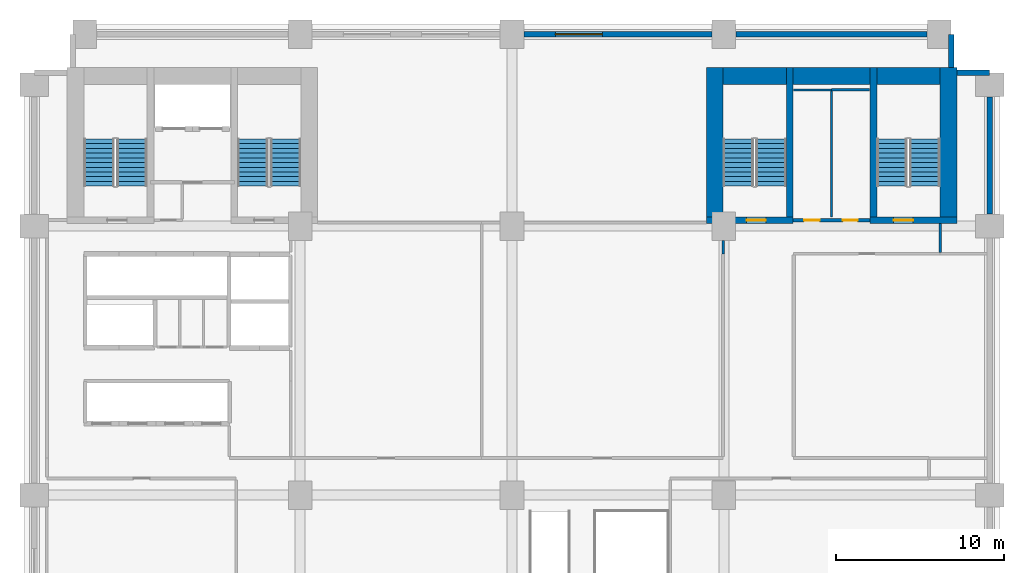
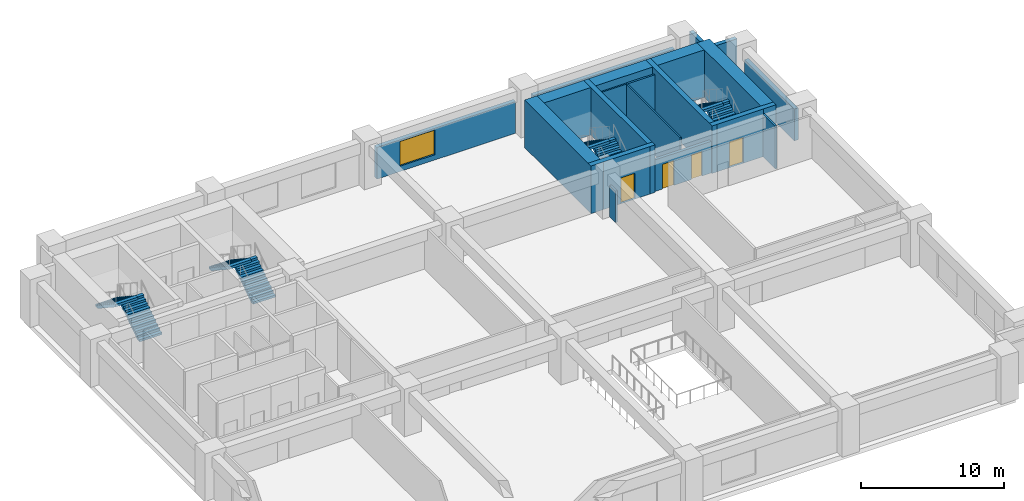
# One storey, part 4 of 7: 18 walls, 8 stair flights, 4 doors, 1 window, 5 openings, 4 elements without a shape of their own.
"""IFC4 building model written with IfcOpenShell, lengths in metres."""

from ifc_helpers import new_model, si_unit, direction, frame, frame_2d, origin, place, context, subcontext, project, spatial, polyline, rectangle, outline, extrude, material, layer, layer_set, type_object, element, fill, aggregate, save


model = new_model("IFC4")

# Units and contexts
model_context = context("Model", 3, precision=1e-05, world=origin(), true_north=direction((0.0, 1.0)))
body_context = subcontext(model_context, "Body", "Model", "MODEL_VIEW")
ifc_project = project(units=[si_unit("LENGTHUNIT", "METRE"), si_unit("AREAUNIT", "SQUARE_METRE"), si_unit("VOLUMEUNIT", "CUBIC_METRE"), si_unit("PLANEANGLEUNIT", "RADIAN"), si_unit("MASSUNIT", "GRAM", prefix="KILO")], contexts=[model_context])

# Site, building, storey
site_placement = place(None, origin())
site = spatial("IfcSite", under=ifc_project, at=site_placement, CompositionType="ELEMENT")
building_placement = place(site_placement, origin())
building = spatial("IfcBuilding", under=site, at=building_placement, Name="Sulina Concourse Tower", CompositionType="ELEMENT")
storey_placement = place(building_placement, frame((0.0, 0.0, 13.5)))
storey = spatial("IfcBuildingStorey", under=building, at=storey_placement, Name="L03", CompositionType="ELEMENT", Elevation=13.5)

# Wall, openings, doors
ifc_material_1 = material(Name="Gypsum board on steel stud", Category="steel")
ifc_layer_1 = layer(ifc_material_1, 0.219970703125)
ifc_layer_set_1 = layer_set([ifc_layer_1], Name="Gypsum board on steel stud")
wall_type_1 = type_object("IfcWallType", Name="Fire-Rated Lobby & Compartment Wall 220mm", PredefinedType="PARTITIONING", material=ifc_layer_set_1)
wall_1_placement = place(storey_placement, frame((45.719970703125, 34.35009765625, 0.0), z_axis=(0.0, 0.0, 1.0), x_axis=(1.0, 0.0, 0.0)))
wall_1 = element("IfcWall", 1, at=wall_1_placement, inside=storey, type_object=wall_type_1, Name="L03 east core south lobby wall", PredefinedType="PARTITIONING", context=body_context, shape_type="SweptSolid", body=[
    extrude(rectangle(XDim=4.56005859375, YDim=0.219970703125, at=frame_2d((2.280029296875, 0.0))), origin(), (0.0, 0.0, 1.0), 2.695068359375),
])
opening_1_placement = place(wall_1_placement, frame((0.64990234375, 0.0, 0.0)))
opening_1 = element("IfcOpeningElement", 2, at=opening_1_placement, cuts=wall_1, Name="Opening DR-61", PredefinedType="OPENING", context=body_context, shape_type="SweptSolid", body=[
    extrude(rectangle(XDim=0.919921875, YDim=2.10009765625, at=frame_2d((0.4599609375, 1.050048828125))), frame((0.0, 0.119873046875, 0.0), z_axis=(0.0, -1.0, 0.0), x_axis=(1.0, 0.0, 0.0)), (0.0, 0.0, 1.0), 0.239990234375),
])
opening_2_placement = place(wall_1_placement, frame((2.949951171875, 0.0, 0.0)))
opening_2 = element("IfcOpeningElement", 3, at=opening_2_placement, cuts=wall_1, Name="Opening DR-38", PredefinedType="OPENING", context=body_context, shape_type="SweptSolid", body=[
    extrude(rectangle(XDim=0.8798828125, YDim=2.10009765625, at=frame_2d((0.43994140625, 1.050048828125))), frame((0.0, 0.119873046875, 0.0), z_axis=(0.0, -1.0, 0.0), x_axis=(1.0, 0.0, 0.0)), (0.0, 0.0, 1.0), 0.239990234375),
])
ifc_material_2 = material(Name="Oak-veneered fire door leaf")
ifc_layer_2 = layer(ifc_material_2, 0.050048828125)
ifc_layer_set_2 = layer_set([ifc_layer_2], Name="Oak-veneered fire door leaf")
door_type_1 = type_object("IfcDoorType", Name="Accessible WC Door 920x2100", OperationType="NOTDEFINED", PredefinedType="DOOR", material=ifc_layer_set_2)
door_1_placement = place(opening_1_placement, origin())
door_1 = element("IfcDoor", 4, at=door_1_placement, inside=storey, type_object=door_type_1, Name="L03 east core accessible wc door", OperationType="SINGLE_SWING_RIGHT", OverallHeight=2.10009765625, OverallWidth=0.919921875, PredefinedType="DOOR", context=body_context, shape_type="SweptSolid", body=[
    extrude(rectangle(XDim=0.919921875, YDim=2.10009765625, at=frame_2d((0.4599609375, 1.050048828125))), frame((0.0, 0.02490234375, 0.0), z_axis=(0.0, -1.0, 0.0), x_axis=(1.0, 0.0, 0.0)), (0.0, 0.0, 1.0), 0.050048828125),
])
fill(opening_1, door_1)
ifc_material_3 = material(Name="Galvanised steel acoustic fire leaf", Category="steel")
ifc_layer_3 = layer(ifc_material_3, 0.050048828125)
ifc_layer_set_3 = layer_set([ifc_layer_3], Name="Galvanised steel acoustic fire leaf")
door_type_2 = type_object("IfcDoorType", Name="Service Riser Fire Door 880x2100", OperationType="NOTDEFINED", PredefinedType="DOOR", material=ifc_layer_set_3)
door_2_placement = place(opening_2_placement, origin())
door_2 = element("IfcDoor", 5, at=door_2_placement, inside=storey, type_object=door_type_2, Name="L03 east core store door", OperationType="SINGLE_SWING_LEFT", OverallHeight=2.10009765625, OverallWidth=0.8798828125, PredefinedType="DOOR", context=body_context, shape_type="SweptSolid", body=[
    extrude(rectangle(XDim=0.8798828125, YDim=2.10009765625, at=frame_2d((0.43994140625, 1.050048828125))), frame((0.0, 0.02490234375, 0.0), z_axis=(0.0, -1.0, 0.0), x_axis=(1.0, 0.0, 0.0)), (0.0, 0.0, 1.0), 0.050048828125),
])
fill(opening_2, door_2)

# Walls
ifc_material_4 = material(Name="Gypsum board on steel stud", Category="steel")
ifc_layer_4 = layer(ifc_material_4, 0.14990234375)
ifc_layer_set_4 = layer_set([ifc_layer_4], Name="Gypsum board on steel stud")
wall_type_2 = type_object("IfcWallType", Name="Inter-Tenancy Acoustic Partition 150mm", PredefinedType="PARTITIONING", material=ifc_layer_set_4)
wall_2_placement = place(storey_placement, frame((48.0, 42.10009765625, 0.0), z_axis=(0.0, 0.0, 1.0), x_axis=(1.0, 0.0, 0.0)))
element("IfcWall", 6, at=wall_2_placement, inside=storey, type_object=wall_type_2, Name="L03 interior partition 026", PredefinedType="PARTITIONING", context=body_context, shape_type="SweptSolid", body=[
    extrude(rectangle(XDim=2.25, YDim=0.14990234375, at=frame_2d((1.125, 0.0))), origin(), (0.0, 0.0, 1.0), 3.64990234375),
])
wall_3_placement = place(storey_placement, frame((41.550048828125, 32.35009765625, 0.0), z_axis=(0.0, 0.0, 1.0), x_axis=(0.0, 1.0, 0.0)))
element("IfcWall", 7, at=wall_3_placement, inside=storey, type_object=wall_type_2, Name="L03 interior partition 042", PredefinedType="PARTITIONING", context=body_context, shape_type="SweptSolid", body=[
    extrude(rectangle(XDim=0.7998046875, YDim=0.14990234375, at=frame_2d((0.39990234375, 0.0))), origin(), (0.0, 0.0, 1.0), 2.695068359375),
])
wall_4_placement = place(storey_placement, frame((54.449951171875, 32.425048828125, 0.0), z_axis=(0.0, 0.0, 1.0), x_axis=(0.0, 1.0, 0.0)))
element("IfcWall", 8, at=wall_4_placement, inside=storey, type_object=wall_type_2, Name="L03 interior partition 046", PredefinedType="PARTITIONING", context=body_context, shape_type="SweptSolid", body=[
    extrude(rectangle(XDim=1.724853515625, YDim=0.14990234375, at=frame_2d((0.8623046875, 0.0))), origin(), (0.0, 0.0, 1.0), 3.64990234375),
])

# Wall, opening, window
ifc_material_5 = material(Name="Precast concrete C50/60", Category="concrete")
ifc_layer_5 = layer(ifc_material_5, 0.320068359375)
ifc_layer_set_5 = layer_set([ifc_layer_5], Name="Precast concrete C50/60")
wall_type_3 = type_object("IfcWallType", Name="Lower Precast Masonry-Frame Facade Wall 320mm", PredefinedType="SOLIDWALL", material=ifc_layer_set_5)
wall_5_placement = place(storey_placement, frame((29.719970703125, 45.39990234375, 0.0), z_axis=(0.0, 0.0, 1.0), x_axis=(1.0, 0.0, 0.0)))
wall_5 = element("IfcWall", 9, at=wall_5_placement, inside=storey, type_object=wall_type_3, Name="L03 exterior precast wall N3", PredefinedType="SOLIDWALL", context=body_context, shape_type="SweptSolid", body=[
    extrude(rectangle(XDim=11.159912109375, YDim=0.320068359375, at=frame_2d((5.580078125, 0.0))), origin(), (0.0, 0.0, 1.0), 2.699951171875),
])
opening_3_placement = place(wall_5_placement, frame((1.853271484375, 0.0, 0.449951171875)))
opening_3 = element("IfcOpeningElement", 10, at=opening_3_placement, cuts=wall_5, Name="Opening WN-83", PredefinedType="OPENING", context=body_context, shape_type="SweptSolid", body=[
    extrude(rectangle(XDim=2.800048828125, YDim=2.10009765625, at=frame_2d((1.39990234375, 1.050048828125))), frame((0.0, 0.169921875, 0.0), z_axis=(0.0, -1.0, 0.0), x_axis=(1.0, 0.0, 0.0)), (0.0, 0.0, 1.0), 0.340087890625),
])
ifc_material_6 = material(Name="Low-E solar double glazing in bronze aluminium", Category="aluminium")
window_type = type_object("IfcWindowType", Name="Station Podium Clerestory Window 2800x2100", PartitioningType="TRIPLE_PANEL_VERTICAL", PredefinedType="WINDOW", material=ifc_material_6)
window_placement = place(opening_3_placement, origin())
window = element("IfcWindow", 11, at=window_placement, inside=storey, type_object=window_type, Name="L03 punched window N3-1", OverallHeight=2.10009765625, OverallWidth=2.800048828125, PartitioningType="SINGLE_PANEL", PredefinedType="WINDOW", context=body_context, shape_type="SweptSolid", body=[
    extrude(rectangle(XDim=2.800048828125, YDim=2.10009765625, at=frame_2d((1.39990234375, 1.050048828125))), frame((0.0, 0.030029296875, 0.0), z_axis=(0.0, -1.0, 0.0), x_axis=(1.0, 0.0, 0.0)), (0.0, 0.0, 1.0), 0.06005859375),
])
fill(opening_3, window)

# Walls
wall_6_placement = place(storey_placement, frame((42.320068359375, 45.39990234375, 0.0), z_axis=(0.0, 0.0, 1.0), x_axis=(1.0, 0.0, 0.0)))
element("IfcWall", 12, at=wall_6_placement, inside=storey, type_object=wall_type_3, Name="L03 exterior precast wall N4", PredefinedType="SOLIDWALL", context=body_context, shape_type="SweptSolid", body=[
    extrude(rectangle(XDim=11.35986328125, YDim=0.320068359375, at=frame_2d((5.679931640625, 0.0))), origin(), (0.0, 0.0, 1.0), 2.699951171875),
])
wall_7_placement = place(storey_placement, frame((57.39990234375, 41.679931640625, 0.0), z_axis=(0.0, 0.0, 1.0), x_axis=(0.0, -1.0, 0.0)))
element("IfcWall", 13, at=wall_7_placement, inside=storey, type_object=wall_type_3, Name="L03 exterior precast wall E3", PredefinedType="SOLIDWALL", context=body_context, shape_type="SweptSolid", body=[
    extrude(rectangle(XDim=6.9599609375, YDim=0.320068359375, at=frame_2d((3.47998046875, 0.0))), origin(), (0.0, 0.0, 1.0), 2.699951171875),
])
wall_8_placement = place(storey_placement, frame((55.1201171875, 45.39990234375, 0.0), z_axis=(0.0, 0.0, 1.0), x_axis=(0.0, -1.0, 0.0)))
element("IfcWall", 14, at=wall_8_placement, inside=storey, type_object=wall_type_3, Name="L03 exterior precast wall CNE1", PredefinedType="SOLIDWALL", context=body_context, shape_type="SweptSolid", body=[
    extrude(rectangle(XDim=1.96484375, YDim=0.320068359375, at=frame_2d((0.982421875, 0.0))), origin(), (0.0, 0.0, 1.0), 3.64990234375),
])
wall_9_placement = place(storey_placement, frame((55.455078125, 43.1201171875, 0.0), z_axis=(0.0, 0.0, 1.0), x_axis=(1.0, 0.0, 0.0)))
element("IfcWall", 15, at=wall_9_placement, inside=storey, type_object=wall_type_3, Name="L03 exterior precast wall CNE2", PredefinedType="SOLIDWALL", context=body_context, shape_type="SweptSolid", body=[
    extrude(rectangle(XDim=1.94482421875, YDim=0.320068359375, at=frame_2d((0.972412109375, 0.0))), origin(), (0.0, 0.0, 1.0), 3.64990234375),
])

# Wall, opening, door
ifc_material_7 = material(Name="Concrete C60/75", Category="concrete")
ifc_layer_6 = layer(ifc_material_7, 0.39990234375)
ifc_layer_set_6 = layer_set([ifc_layer_6], Name="Concrete C60/75")
wall_type_4 = type_object("IfcWallType", Name="Protected Stair Core Shear Wall 400mm", PredefinedType="SHEAR", material=ifc_layer_set_6)
wall_10_placement = place(storey_placement, frame((40.550048828125, 34.35009765625, 0.0), z_axis=(0.0, 0.0, 1.0), x_axis=(1.0, 0.0, 0.0)))
wall_10 = element("IfcWall", 16, at=wall_10_placement, inside=storey, type_object=wall_type_4, Name="L03 east core shear wall CW-ES1", PredefinedType="SHEAR", context=body_context, shape_type="SweptSolid", body=[
    extrude(rectangle(XDim=5.159912109375, YDim=0.39990234375, at=frame_2d((2.580078125, 0.0))), origin(), (0.0, 0.0, 1.0), 4.050048828125),
])
opening_4_placement = place(wall_10_placement, frame((2.39990234375, 0.0, 0.0)))
opening_4 = element("IfcOpeningElement", 17, at=opening_4_placement, cuts=wall_10, Name="Opening DR-60", PredefinedType="OPENING", context=body_context, shape_type="SweptSolid", body=[
    extrude(rectangle(XDim=1.14990234375, YDim=2.199951171875, at=frame_2d((0.574951171875, 1.10009765625))), frame((0.0, 0.2099609375, 0.0), z_axis=(0.0, -1.0, 0.0), x_axis=(1.0, 0.0, 0.0)), (0.0, 0.0, 1.0), 0.419921875),
])
ifc_material_8 = material(Name="Galvanised steel acoustic fire leaf", Category="steel")
ifc_layer_7 = layer(ifc_material_8, 0.054931640625)
ifc_layer_set_7 = layer_set([ifc_layer_7], Name="Galvanised steel acoustic fire leaf")
door_type_3 = type_object("IfcDoorType", Name="Protected Exit Stair Fire Door 1150x2200", OperationType="NOTDEFINED", PredefinedType="DOOR", material=ifc_layer_set_7)
door_3_placement = place(opening_4_placement, origin())
door_3 = element("IfcDoor", 18, at=door_3_placement, inside=storey, type_object=door_type_3, Name="L03 stair ST-3 south lobby fire door", OperationType="SINGLE_SWING_LEFT", OverallHeight=2.199951171875, OverallWidth=1.14990234375, PredefinedType="DOOR", context=body_context, shape_type="SweptSolid", body=[
    extrude(rectangle(XDim=1.14990234375, YDim=2.199951171875, at=frame_2d((0.574951171875, 1.10009765625))), frame((0.0, 0.02490234375, 0.0), z_axis=(0.0, -1.0, 0.0), x_axis=(1.0, 0.0, 0.0)), (0.0, 0.0, 1.0), 0.050048828125),
])
fill(opening_4, door_3)

# Wall
wall_11_placement = place(storey_placement, frame((45.510009765625, 34.14990234375, 0.0), z_axis=(0.0, 0.0, 1.0), x_axis=(0.0, 1.0, 0.0)))
element("IfcWall", 19, at=wall_11_placement, inside=storey, type_object=wall_type_4, Name="L03 east core shear wall SW-ST3", PredefinedType="SHEAR", context=body_context, shape_type="SweptSolid", body=[
    extrude(rectangle(XDim=9.280029296875, YDim=0.39990234375, at=frame_2d((4.64013671875, 0.0))), origin(), (0.0, 0.0, 1.0), 4.050048828125),
])

# Wall, opening, door
wall_12_placement = place(storey_placement, frame((50.2900390625, 34.35009765625, 0.0), z_axis=(0.0, 0.0, 1.0), x_axis=(1.0, 0.0, 0.0)))
wall_12 = element("IfcWall", 20, at=wall_12_placement, inside=storey, type_object=wall_type_4, Name="L03 east core shear wall CW-ES2", PredefinedType="SHEAR", context=body_context, shape_type="SweptSolid", body=[
    extrude(rectangle(XDim=5.159912109375, YDim=0.39990234375, at=frame_2d((2.580078125, 0.0))), origin(), (0.0, 0.0, 1.0), 4.050048828125),
])
opening_5_placement = place(wall_12_placement, frame((1.39990234375, 0.0, 0.0)))
opening_5 = element("IfcOpeningElement", 21, at=opening_5_placement, cuts=wall_12, Name="Opening DR-60", PredefinedType="OPENING", context=body_context, shape_type="SweptSolid", body=[
    extrude(rectangle(XDim=1.14990234375, YDim=2.199951171875, at=frame_2d((0.574951171875, 1.10009765625))), frame((0.0, 0.2099609375, 0.0), z_axis=(0.0, -1.0, 0.0), x_axis=(1.0, 0.0, 0.0)), (0.0, 0.0, 1.0), 0.419921875),
])
door_4_placement = place(opening_5_placement, origin())
door_4 = element("IfcDoor", 22, at=door_4_placement, inside=storey, type_object=door_type_3, Name="L03 stair ST-4 south lobby fire door", OperationType="SINGLE_SWING_RIGHT", OverallHeight=2.199951171875, OverallWidth=1.14990234375, PredefinedType="DOOR", context=body_context, shape_type="SweptSolid", body=[
    extrude(rectangle(XDim=1.14990234375, YDim=2.199951171875, at=frame_2d((0.574951171875, 1.10009765625))), frame((0.0, 0.02490234375, 0.0), z_axis=(0.0, -1.0, 0.0), x_axis=(1.0, 0.0, 0.0)), (0.0, 0.0, 1.0), 0.050048828125),
])
fill(opening_5, door_4)

# Walls
wall_13_placement = place(storey_placement, frame((50.489990234375, 34.14990234375, 0.0), z_axis=(0.0, 0.0, 1.0), x_axis=(0.0, 1.0, 0.0)))
element("IfcWall", 23, at=wall_13_placement, inside=storey, type_object=wall_type_4, Name="L03 east core shear wall SW-ST4", PredefinedType="SHEAR", context=body_context, shape_type="SweptSolid", body=[
    extrude(rectangle(XDim=9.280029296875, YDim=0.39990234375, at=frame_2d((4.64013671875, 0.0))), origin(), (0.0, 0.0, 1.0), 4.050048828125),
])
ifc_material_9 = material(Name="Concrete C80/95", Category="concrete")
ifc_layer_8 = layer(ifc_material_9, 1.0)
ifc_layer_set_8 = layer_set([ifc_layer_8], Name="Concrete C80/95")
wall_type_5 = type_object("IfcWallType", Name="Rear Core Shear Wall 1000mm", PredefinedType="SHEAR", material=ifc_layer_set_8)
wall_14_placement = place(storey_placement, frame((40.550048828125, 42.929931640625, 0.0), z_axis=(0.0, 0.0, 1.0), x_axis=(1.0, 0.0, 0.0)))
element("IfcWall", 24, at=wall_14_placement, inside=storey, type_object=wall_type_5, Name="L03 east core shear wall CW-EN", PredefinedType="SHEAR", context=body_context, shape_type="SweptSolid", body=[
    extrude(rectangle(XDim=14.89990234375, YDim=1.0, at=frame_2d((7.449951171875, 0.0))), origin(), (0.0, 0.0, 1.0), 4.050048828125),
])
for number, where, z_axis, x_axis, name in (
    (25, (41.050048828125, 34.14990234375, 0.0), (0.0, 0.0, 1.0), (0.0, 1.0, 0.0), "L03 east core shear wall CW-EW"),
    (26, (54.949951171875, 34.14990234375, 0.0), (0.0, 0.0, 1.0), (0.0, 1.0, 0.0), "L03 east core shear wall CW-EE"),
):
    element("IfcWall", number, at=place(storey_placement, frame(where, z_axis=z_axis, x_axis=x_axis)), inside=storey, type_object=wall_type_5, Name=name, PredefinedType="SHEAR", context=body_context, shape_type="SweptSolid", body=[
        extrude(rectangle(XDim=9.280029296875, YDim=1.0, at=frame_2d((4.64013671875, 0.0))), origin(), (0.0, 0.0, 1.0), 4.050048828125),
    ])
ifc_material_10 = material(Name="Gypsum board on steel stud", Category="steel")
ifc_layer_9 = layer(ifc_material_10, 0.125)
ifc_layer_set_9 = layer_set([ifc_layer_9], Name="Gypsum board on steel stud")
wall_type_6 = type_object("IfcWallType", Name="Wet-Area Moisture-Resistant Partition 125mm", PredefinedType="PARTITIONING", material=ifc_layer_set_9)
wall_15_placement = place(storey_placement, frame((45.75, 42.10009765625, 0.0), z_axis=(0.0, 0.0, 1.0), x_axis=(1.0, 0.0, 0.0)))
element("IfcWall", 27, at=wall_15_placement, inside=storey, type_object=wall_type_6, Name="L03 interior partition 025", PredefinedType="PARTITIONING", context=body_context, shape_type="SweptSolid", body=[
    extrude(rectangle(XDim=2.25, YDim=0.125, at=frame_2d((1.125, 0.0))), origin(), (0.0, 0.0, 1.0), 3.64990234375),
])
wall_16_placement = place(storey_placement, frame((48.0, 34.550048828125, 0.0), z_axis=(0.0, 0.0, 1.0), x_axis=(0.0, 1.0, 0.0)))
element("IfcWall", 28, at=wall_16_placement, inside=storey, type_object=wall_type_6, Name="L03 interior partition 044", PredefinedType="PARTITIONING", context=body_context, shape_type="SweptSolid", body=[
    extrude(rectangle(XDim=7.474853515625, YDim=0.125, at=frame_2d((3.7373046875, 0.0))), origin(), (0.0, 0.0, 1.0), 3.64990234375),
])

# Stair, stair flights
ifc_material_11 = material(Name="Concrete C50/60", Category="concrete")
stair_type_1 = type_object("IfcStairType", Name="Portal & Podium Core Exit Stair 1820mm", PredefinedType="HALF_TURN_STAIR", material=ifc_material_11)
stair_1_placement = place(storey_placement, origin())
stair_1 = element("IfcStair", 29, at=stair_1_placement, inside=storey, type_object=stair_type_1, Name="L03 ST-3", PredefinedType="HALF_TURN_STAIR")
ifc_material_12 = material(Name="Concrete C50/60", Category="concrete")
stair_flight_type_1 = type_object("IfcStairFlightType", Name="Portal & Podium Core Exit Stair 1820mm Flight", PredefinedType="STRAIGHT", material=ifc_material_12)
stair_flight_1_placement = place(storey_placement, frame((44.405029296875, 36.375, 0.0), z_axis=(0.0, 0.0, 1.0), x_axis=(0.0, 1.0, 0.0)))
stair_flight_1 = element("IfcStairFlight", 30, at=stair_flight_1_placement, type_object=stair_flight_type_1, Name="ST-3 flight 1", NumberOfRisers=11, NumberOfTreads=10, PredefinedType="STRAIGHT", RiserHeight=0.184090909, TreadLength=0.28, context=body_context, shape_type="SweptSolid", body=[
    extrude(outline(polyline([(0.0, 0.0), (0.0, 0.18408203125), (0.280029296875, 0.18408203125), (0.280029296875, 0.3681640625), (0.56005859375, 0.3681640625), (0.56005859375, 0.55224609375), (0.840087890625, 0.55224609375), (0.840087890625, 0.736328125), (1.1201171875, 0.736328125), (1.1201171875, 0.92041015625), (1.39990234375, 0.92041015625), (1.39990234375, 1.1044921875), (1.679931640625, 1.1044921875), (1.679931640625, 1.28857421875), (1.9599609375, 1.28857421875), (1.9599609375, 1.47265625), (2.239990234375, 1.47265625), (2.239990234375, 1.65673828125), (2.52001953125, 1.65673828125), (2.52001953125, 1.8408203125), (2.800048828125, 1.8408203125), (2.800048828125, 2.02490234375), (2.800048828125, 1.62548828125), (0.32763671875, 0.0), (0.0, 0.0)])), frame((0.0, 0.89990234375, 0.0), z_axis=(0.0, -1.0, 0.0), x_axis=(1.0, 0.0, 0.0)), (0.0, 0.0, 1.0), 1.800048828125),
])
stair_flight_2_placement = place(storey_placement, frame((42.455078125, 39.175048828125, 2.02490234375), z_axis=(0.0, 0.0, 1.0), x_axis=(0.0, -1.0, 0.0)))
stair_flight_2 = element("IfcStairFlight", 31, at=stair_flight_2_placement, type_object=stair_flight_type_1, Name="ST-3 flight 2", NumberOfRisers=11, NumberOfTreads=10, PredefinedType="STRAIGHT", RiserHeight=0.184090909, TreadLength=0.28, context=body_context, shape_type="SweptSolid", body=[
    extrude(outline(polyline([(0.0, 0.0), (0.0, 0.18408203125), (0.280029296875, 0.18408203125), (0.280029296875, 0.3681640625), (0.56005859375, 0.3681640625), (0.56005859375, 0.55224609375), (0.840087890625, 0.55224609375), (0.840087890625, 0.736328125), (1.1201171875, 0.736328125), (1.1201171875, 0.92041015625), (1.39990234375, 0.92041015625), (1.39990234375, 1.1044921875), (1.679931640625, 1.1044921875), (1.679931640625, 1.28857421875), (1.9599609375, 1.28857421875), (1.9599609375, 1.47265625), (2.239990234375, 1.47265625), (2.239990234375, 1.65673828125), (2.52001953125, 1.65673828125), (2.52001953125, 1.8408203125), (2.800048828125, 1.8408203125), (2.800048828125, 2.02490234375), (2.800048828125, 1.62548828125), (0.32763671875, 0.0), (0.0, 0.0)])), frame((0.0, 0.89990234375, 0.0), z_axis=(0.0, -1.0, 0.0), x_axis=(1.0, 0.0, 0.0)), (0.0, 0.0, 1.0), 1.800048828125),
])
aggregate(stair_1, [stair_flight_1, stair_flight_2])

stair_2_placement = place(storey_placement, origin())
stair_2 = element("IfcStair", 32, at=stair_2_placement, inside=storey, type_object=stair_type_1, Name="L03 ST-4", PredefinedType="HALF_TURN_STAIR")
stair_flight_3_placement = place(storey_placement, frame((53.544921875, 36.375, 0.0), z_axis=(0.0, 0.0, 1.0), x_axis=(0.0, 1.0, 0.0)))
stair_flight_3 = element("IfcStairFlight", 33, at=stair_flight_3_placement, type_object=stair_flight_type_1, Name="ST-4 flight 1", NumberOfRisers=11, NumberOfTreads=10, PredefinedType="STRAIGHT", RiserHeight=0.184090909, TreadLength=0.28, context=body_context, shape_type="SweptSolid", body=[
    extrude(outline(polyline([(0.0, 0.0), (0.0, 0.18408203125), (0.280029296875, 0.18408203125), (0.280029296875, 0.3681640625), (0.56005859375, 0.3681640625), (0.56005859375, 0.55224609375), (0.840087890625, 0.55224609375), (0.840087890625, 0.736328125), (1.1201171875, 0.736328125), (1.1201171875, 0.92041015625), (1.39990234375, 0.92041015625), (1.39990234375, 1.1044921875), (1.679931640625, 1.1044921875), (1.679931640625, 1.28857421875), (1.9599609375, 1.28857421875), (1.9599609375, 1.47265625), (2.239990234375, 1.47265625), (2.239990234375, 1.65673828125), (2.52001953125, 1.65673828125), (2.52001953125, 1.8408203125), (2.800048828125, 1.8408203125), (2.800048828125, 2.02490234375), (2.800048828125, 1.62548828125), (0.32763671875, 0.0), (0.0, 0.0)])), frame((0.0, 0.89990234375, 0.0), z_axis=(0.0, -1.0, 0.0), x_axis=(1.0, 0.0, 0.0)), (0.0, 0.0, 1.0), 1.800048828125),
])
stair_flight_4_placement = place(storey_placement, frame((51.594970703125, 39.175048828125, 2.02490234375), z_axis=(0.0, 0.0, 1.0), x_axis=(0.0, -1.0, 0.0)))
stair_flight_4 = element("IfcStairFlight", 34, at=stair_flight_4_placement, type_object=stair_flight_type_1, Name="ST-4 flight 2", NumberOfRisers=11, NumberOfTreads=10, PredefinedType="STRAIGHT", RiserHeight=0.184090909, TreadLength=0.28, context=body_context, shape_type="SweptSolid", body=[
    extrude(outline(polyline([(0.0, 0.0), (0.0, 0.18408203125), (0.280029296875, 0.18408203125), (0.280029296875, 0.3681640625), (0.56005859375, 0.3681640625), (0.56005859375, 0.55224609375), (0.840087890625, 0.55224609375), (0.840087890625, 0.736328125), (1.1201171875, 0.736328125), (1.1201171875, 0.92041015625), (1.39990234375, 0.92041015625), (1.39990234375, 1.1044921875), (1.679931640625, 1.1044921875), (1.679931640625, 1.28857421875), (1.9599609375, 1.28857421875), (1.9599609375, 1.47265625), (2.239990234375, 1.47265625), (2.239990234375, 1.65673828125), (2.52001953125, 1.65673828125), (2.52001953125, 1.8408203125), (2.800048828125, 1.8408203125), (2.800048828125, 2.02490234375), (2.800048828125, 1.62548828125), (0.32763671875, 0.0), (0.0, 0.0)])), frame((0.0, 0.89990234375, 0.0), z_axis=(0.0, -1.0, 0.0), x_axis=(1.0, 0.0, 0.0)), (0.0, 0.0, 1.0), 1.800048828125),
])
aggregate(stair_2, [stair_flight_3, stair_flight_4])

ifc_material_13 = material(Name="Concrete C50/60", Category="concrete")
stair_type_2 = type_object("IfcStairType", Name="Primary Core Dog-Leg Exit Stair 1800mm", PredefinedType="HALF_TURN_STAIR", material=ifc_material_13)
stair_3_placement = place(storey_placement, origin())
stair_3 = element("IfcStair", 35, at=stair_3_placement, inside=storey, type_object=stair_type_2, Name="L03 ST-1", PredefinedType="HALF_TURN_STAIR")
ifc_material_14 = material(Name="Concrete C50/60", Category="concrete")
stair_flight_type_2 = type_object("IfcStairFlightType", Name="Primary Core Dog-Leg Exit Stair 1800mm Flight", PredefinedType="STRAIGHT", material=ifc_material_14)
stair_flight_5_placement = place(storey_placement, frame((6.405029296875, 36.375, 0.0), z_axis=(0.0, 0.0, 1.0), x_axis=(0.0, 1.0, 0.0)))
stair_flight_5 = element("IfcStairFlight", 36, at=stair_flight_5_placement, type_object=stair_flight_type_2, Name="ST-1 flight 1", NumberOfRisers=11, NumberOfTreads=10, PredefinedType="STRAIGHT", RiserHeight=0.184090909, TreadLength=0.28, context=body_context, shape_type="SweptSolid", body=[
    extrude(outline(polyline([(0.0, 0.0), (0.0, 0.18408203125), (0.280029296875, 0.18408203125), (0.280029296875, 0.3681640625), (0.56005859375, 0.3681640625), (0.56005859375, 0.55224609375), (0.840087890625, 0.55224609375), (0.840087890625, 0.736328125), (1.1201171875, 0.736328125), (1.1201171875, 0.92041015625), (1.39990234375, 0.92041015625), (1.39990234375, 1.1044921875), (1.679931640625, 1.1044921875), (1.679931640625, 1.28857421875), (1.9599609375, 1.28857421875), (1.9599609375, 1.47265625), (2.239990234375, 1.47265625), (2.239990234375, 1.65673828125), (2.52001953125, 1.65673828125), (2.52001953125, 1.8408203125), (2.800048828125, 1.8408203125), (2.800048828125, 2.02490234375), (2.800048828125, 1.62548828125), (0.32763671875, 0.0), (0.0, 0.0)])), frame((0.0, 0.89990234375, 0.0), z_axis=(0.0, -1.0, 0.0), x_axis=(1.0, 0.0, 0.0)), (0.0, 0.0, 1.0), 1.800048828125),
])
stair_flight_6_placement = place(storey_placement, frame((4.455078125, 39.175048828125, 2.02490234375), z_axis=(0.0, 0.0, 1.0), x_axis=(0.0, -1.0, 0.0)))
stair_flight_6 = element("IfcStairFlight", 37, at=stair_flight_6_placement, type_object=stair_flight_type_2, Name="ST-1 flight 2", NumberOfRisers=11, NumberOfTreads=10, PredefinedType="STRAIGHT", RiserHeight=0.184090909, TreadLength=0.28, context=body_context, shape_type="SweptSolid", body=[
    extrude(outline(polyline([(0.0, 0.0), (0.0, 0.18408203125), (0.280029296875, 0.18408203125), (0.280029296875, 0.3681640625), (0.56005859375, 0.3681640625), (0.56005859375, 0.55224609375), (0.840087890625, 0.55224609375), (0.840087890625, 0.736328125), (1.1201171875, 0.736328125), (1.1201171875, 0.92041015625), (1.39990234375, 0.92041015625), (1.39990234375, 1.1044921875), (1.679931640625, 1.1044921875), (1.679931640625, 1.28857421875), (1.9599609375, 1.28857421875), (1.9599609375, 1.47265625), (2.239990234375, 1.47265625), (2.239990234375, 1.65673828125), (2.52001953125, 1.65673828125), (2.52001953125, 1.8408203125), (2.800048828125, 1.8408203125), (2.800048828125, 2.02490234375), (2.800048828125, 1.62548828125), (0.32763671875, 0.0), (0.0, 0.0)])), frame((0.0, 0.89990234375, 0.0), z_axis=(0.0, -1.0, 0.0), x_axis=(1.0, 0.0, 0.0)), (0.0, 0.0, 1.0), 1.800048828125),
])
aggregate(stair_3, [stair_flight_5, stair_flight_6])

stair_4_placement = place(storey_placement, origin())
stair_4 = element("IfcStair", 38, at=stair_4_placement, inside=storey, type_object=stair_type_2, Name="L03 ST-2", PredefinedType="HALF_TURN_STAIR")
stair_flight_7_placement = place(storey_placement, frame((15.544921875, 36.375, 0.0), z_axis=(0.0, 0.0, 1.0), x_axis=(0.0, 1.0, 0.0)))
stair_flight_7 = element("IfcStairFlight", 39, at=stair_flight_7_placement, type_object=stair_flight_type_2, Name="ST-2 flight 1", NumberOfRisers=11, NumberOfTreads=10, PredefinedType="STRAIGHT", RiserHeight=0.184090909, TreadLength=0.28, context=body_context, shape_type="SweptSolid", body=[
    extrude(outline(polyline([(0.0, 0.0), (0.0, 0.18408203125), (0.280029296875, 0.18408203125), (0.280029296875, 0.3681640625), (0.56005859375, 0.3681640625), (0.56005859375, 0.55224609375), (0.840087890625, 0.55224609375), (0.840087890625, 0.736328125), (1.1201171875, 0.736328125), (1.1201171875, 0.92041015625), (1.39990234375, 0.92041015625), (1.39990234375, 1.1044921875), (1.679931640625, 1.1044921875), (1.679931640625, 1.28857421875), (1.9599609375, 1.28857421875), (1.9599609375, 1.47265625), (2.239990234375, 1.47265625), (2.239990234375, 1.65673828125), (2.52001953125, 1.65673828125), (2.52001953125, 1.8408203125), (2.800048828125, 1.8408203125), (2.800048828125, 2.02490234375), (2.800048828125, 1.62548828125), (0.32763671875, 0.0), (0.0, 0.0)])), frame((0.0, 0.89990234375, 0.0), z_axis=(0.0, -1.0, 0.0), x_axis=(1.0, 0.0, 0.0)), (0.0, 0.0, 1.0), 1.800048828125),
])
stair_flight_8_placement = place(storey_placement, frame((13.594970703125, 39.175048828125, 2.02490234375), z_axis=(0.0, 0.0, 1.0), x_axis=(0.0, -1.0, 0.0)))
stair_flight_8 = element("IfcStairFlight", 40, at=stair_flight_8_placement, type_object=stair_flight_type_2, Name="ST-2 flight 2", NumberOfRisers=11, NumberOfTreads=10, PredefinedType="STRAIGHT", RiserHeight=0.184090909, TreadLength=0.28, context=body_context, shape_type="SweptSolid", body=[
    extrude(outline(polyline([(0.0, 0.0), (0.0, 0.18408203125), (0.280029296875, 0.18408203125), (0.280029296875, 0.3681640625), (0.56005859375, 0.3681640625), (0.56005859375, 0.55224609375), (0.840087890625, 0.55224609375), (0.840087890625, 0.736328125), (1.1201171875, 0.736328125), (1.1201171875, 0.92041015625), (1.39990234375, 0.92041015625), (1.39990234375, 1.1044921875), (1.679931640625, 1.1044921875), (1.679931640625, 1.28857421875), (1.9599609375, 1.28857421875), (1.9599609375, 1.47265625), (2.239990234375, 1.47265625), (2.239990234375, 1.65673828125), (2.52001953125, 1.65673828125), (2.52001953125, 1.8408203125), (2.800048828125, 1.8408203125), (2.800048828125, 2.02490234375), (2.800048828125, 1.62548828125), (0.32763671875, 0.0), (0.0, 0.0)])), frame((0.0, 0.89990234375, 0.0), z_axis=(0.0, -1.0, 0.0), x_axis=(1.0, 0.0, 0.0)), (0.0, 0.0, 1.0), 1.800048828125),
])
aggregate(stair_4, [stair_flight_7, stair_flight_8])

save(model, "model.ifc")
